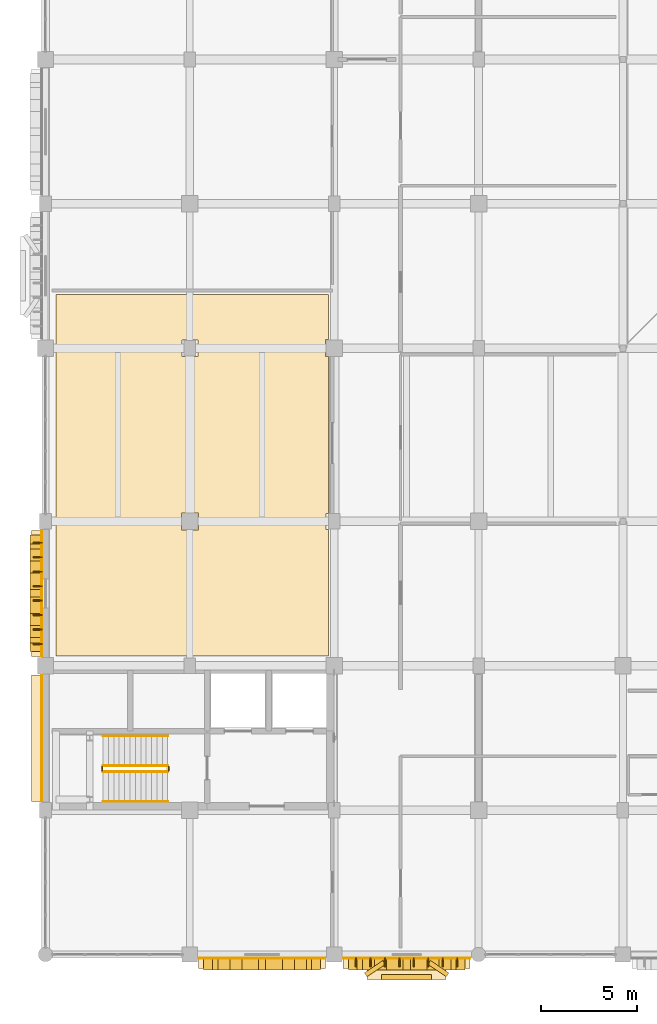
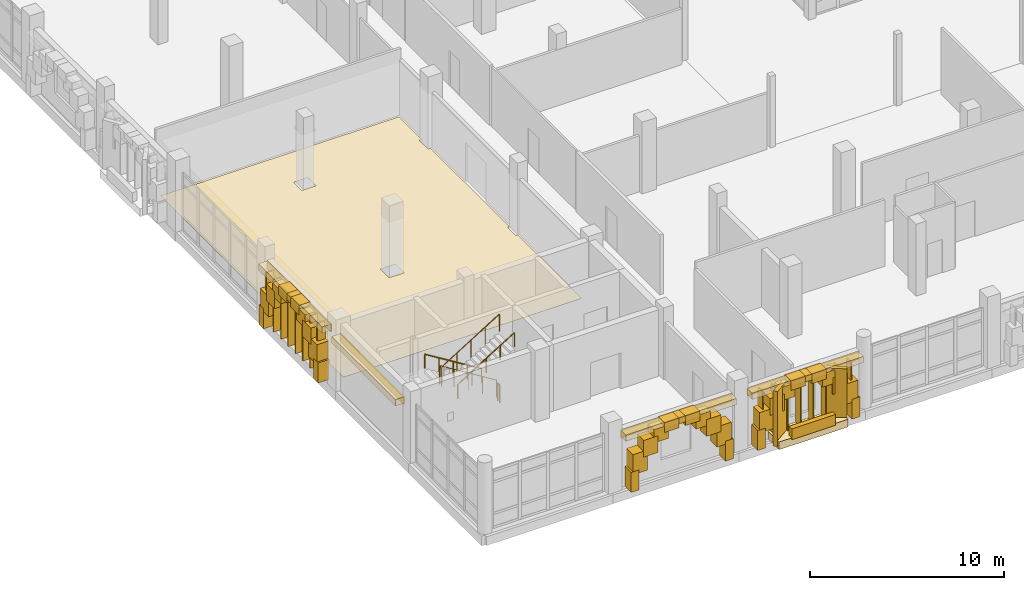
# One storey, part 107 of 128: 46 coverings, 16 shading devices, 6 railings.
"""IFC4 building model written with IfcOpenShell, lengths in metres."""

import ifcopenshell
import ifcopenshell.guid

model = None  # the IFC model being written
_history = None  # IfcOwnerHistory: only IFC2X3 demands one
_inside = {}  # id of a spatial element -> (the spatial element, [elements in it])
_under = {}  # id of a project, library or spatial element -> (it, [spatial elements below it])
_declared = {}  # id of a project -> (the project, [libraries it declares])
_typed = {}  # id of a type object -> (the type object, [elements of that type])
_made_of = {}  # id of a material, layer set ... -> (it, [elements and type objects made of it])


def new_model(schema):
    """Start an empty IFC model of exactly this schema.

    Asked for "IFC4X3", IfcOpenShell would pick the latest addendum, in which some entities
    have other attributes; the version numbers below select the first issue.
    IFC2X3 requires an IfcOwnerHistory on every rooted entity: one is made here for all.
    """
    global model, _history
    if schema == "IFC4X3":
        model = ifcopenshell.file(schema_version=(4, 3, 0, 0))
    else:
        model = ifcopenshell.file(schema=schema)
    _inside.clear()
    _under.clear()
    _declared.clear()
    _typed.clear()
    _made_of.clear()
    _history = None
    if model.schema == "IFC2X3":
        org = make("IfcOrganization", Name="unknown")
        user = make(
            "IfcPersonAndOrganization",
            ThePerson=make("IfcPerson", FamilyName="unknown"),
            TheOrganization=org,
        )
        app = make(
            "IfcApplication",
            ApplicationDeveloper=org,
            Version="unknown",
            ApplicationFullName="unknown",
            ApplicationIdentifier="unknown",
        )
        _history = make(
            "IfcOwnerHistory",
            OwningUser=user,
            OwningApplication=app,
            ChangeAction="ADDED",
            CreationDate=0,
        )
    return model


def make(cls, **values):
    """One entity of the class cls with the attributes given. An attribute that is None is left unset."""
    return model.create_entity(
        cls, **{name: value for name, value in values.items() if value is not None}
    )


def rooted(cls, **values):
    """An entity with a GlobalId (a new one), such as an element, a storey or a relation."""
    return make(cls, GlobalId=ifcopenshell.guid.new(), OwnerHistory=_history, **values)


def si_unit(unit_type, name, prefix=None):
    """IfcSIUnit, for example si_unit("LENGTHUNIT", "METRE", prefix="MILLI")."""
    return make("IfcSIUnit", UnitType=unit_type, Prefix=prefix, Name=name)


def assignment(units):
    """IfcUnitAssignment: the units of a project."""
    return None if units is None else make("IfcUnitAssignment", Units=units)


def point(xyz):
    """IfcCartesianPoint."""
    return None if xyz is None else make("IfcCartesianPoint", Coordinates=xyz)


def direction(xyz):
    """IfcDirection."""
    return None if xyz is None else make("IfcDirection", DirectionRatios=xyz)


def frame(location, z_axis=None, x_axis=None):
    """IfcAxis2Placement3D, a coordinate frame: its origin and axes. An axis left out is left unset."""
    return make(
        "IfcAxis2Placement3D",
        Location=point(location),
        Axis=direction(z_axis),
        RefDirection=direction(x_axis),
    )


def frame_2d(location, x_axis=None):
    """IfcAxis2Placement2D, a coordinate frame in the plane: its origin and x axis."""
    return make(
        "IfcAxis2Placement2D", Location=point(location), RefDirection=direction(x_axis)
    )


def origin():
    """The frame at (0, 0, 0) with its axes left unset."""
    return frame((0.0, 0.0, 0.0))


def origin_2d():
    """The frame at (0, 0) in the plane with its x axis left unset."""
    return frame_2d((0.0, 0.0))


def place(relative_to, where):
    """IfcLocalPlacement: puts the frame where relative to a parent placement (None: the world)."""
    return make(
        "IfcLocalPlacement", PlacementRelTo=relative_to, RelativePlacement=where
    )


def context(
    kind, dimensions, precision=None, world=None, true_north=None, identifier=None
):
    """IfcGeometricRepresentationContext, for example the 3D "Model" context."""
    return make(
        "IfcGeometricRepresentationContext",
        ContextIdentifier=identifier,
        ContextType=kind,
        CoordinateSpaceDimension=dimensions,
        Precision=precision,
        WorldCoordinateSystem=world,
        TrueNorth=true_north,
    )


def subcontext(parent, identifier, kind, view, scale=None):
    """IfcGeometricRepresentationSubContext, for example "Body" below "Model"."""
    return make(
        "IfcGeometricRepresentationSubContext",
        ContextIdentifier=identifier,
        ContextType=kind,
        ParentContext=parent,
        TargetScale=scale,
        TargetView=view,
    )


def project(units=None, contexts=None):
    """IfcProject with its units and contexts."""
    return rooted(
        "IfcProject",
        Name="project",
        RepresentationContexts=contexts,
        UnitsInContext=assignment(units),
    )


def spatial(cls, under=None, at=None, **own):
    """A site, building, storey or space (cls), placed at a placement, below another one or the project."""
    s = rooted(cls, ObjectPlacement=at, **own)
    if under is not None:
        _under.setdefault(under.id(), (under, []))[1].append(s)
    return s


def polyline(points):
    """IfcPolyline through the points."""
    return make("IfcPolyline", Points=[point(p) for p in points])


def profile(cls, at=None, kind="AREA", **sizes):
    """A parametric profile (cls). Its sizes go by their IFC names, for example OverallWidth=200.0."""
    return make(cls, ProfileType=kind, Position=at, **sizes)


def rectangle(**sizes):
    """IfcRectangleProfileDef."""
    return profile("IfcRectangleProfileDef", **sizes)


def circle(**sizes):
    """IfcCircleProfileDef."""
    return profile("IfcCircleProfileDef", **sizes)


def outline(outer, holes=None, kind="AREA"):
    """IfcArbitraryClosedProfileDef: a profile drawn as a closed curve; with holes, ...WithVoids."""
    if holes is None:
        return make("IfcArbitraryClosedProfileDef", ProfileType=kind, OuterCurve=outer)
    return make(
        "IfcArbitraryProfileDefWithVoids",
        ProfileType=kind,
        OuterCurve=outer,
        InnerCurves=holes,
    )


def extrude(swept, where, along, depth):
    """IfcExtrudedAreaSolid: the profile swept, set in the frame where, extruded along a direction by depth."""
    return make(
        "IfcExtrudedAreaSolid",
        SweptArea=swept,
        Position=where,
        ExtrudedDirection=direction(along),
        Depth=depth,
    )


def shape(context_of_items, identifier, shape_type, items):
    """IfcShapeRepresentation: the items that make up one representation, for example the "Body"."""
    return make(
        "IfcShapeRepresentation",
        ContextOfItems=context_of_items,
        RepresentationIdentifier=identifier,
        RepresentationType=shape_type,
        Items=items,
    )


def material(Name=None, Category=None):
    """IfcMaterial."""
    return make("IfcMaterial", Name=Name, Category=Category)


def layer(
    of_material, thickness, ventilated=None, Name=None, Category=None, Priority=None
):
    """IfcMaterialLayer: one layer of a wall or slab, of a material (None: an air gap)."""
    return make(
        "IfcMaterialLayer",
        Material=of_material,
        LayerThickness=thickness,
        IsVentilated=ventilated,
        Name=Name,
        Category=Category,
        Priority=Priority,
    )


def layer_set(layers, Name=None):
    """IfcMaterialLayerSet."""
    return make("IfcMaterialLayerSet", MaterialLayers=layers, LayerSetName=Name)


def made_of(thing, what):
    """Note that an element or type object is made of a material, layer set ...; save() writes the relation."""
    if what is not None:
        _made_of.setdefault(what.id(), (what, []))[1].append(thing)
    return thing


def type_object(cls, material=None, **own):
    """A type object (cls), such as IfcWallType, which elements share."""
    return made_of(rooted(cls, **own), material)


def element(
    cls,
    number,
    at=None,
    inside=None,
    cuts=None,
    type_object=None,
    material=None,
    context=None,
    identifier="Body",
    shape_type=None,
    held_by="IfcProductDefinitionShape",
    body=None,
    shapes=None,
    **own,
):
    """One element of the class cls, such as IfcWall. Its Tag is "e" and its number.

    at: its placement. inside: the storey or other place that contains it. cuts: it is an
    opening in that element (IfcRelVoidsElement). A single representation is given by context,
    identifier, shape_type and body (its items); several are given by shapes. held_by: the class
    of the entity that holds the representations. save() writes the other relations.
    """
    e = rooted(cls, Tag="e%d" % number, ObjectPlacement=at, **own)
    if body is not None:
        shapes = [shape(context, identifier, shape_type, body)]
    if shapes is not None:
        e.Representation = make(held_by, Representations=shapes)
    if inside is not None:
        _inside.setdefault(inside.id(), (inside, []))[1].append(e)
    if cuts is not None:
        rooted(
            "IfcRelVoidsElement", RelatingBuildingElement=cuts, RelatedOpeningElement=e
        )
    if type_object is not None:
        _typed.setdefault(type_object.id(), (type_object, []))[1].append(e)
    return made_of(e, material)


def aggregate(whole, parts):
    """IfcRelAggregates: a whole, such as a stair, and the parts it consists of."""
    return rooted("IfcRelAggregates", RelatingObject=whole, RelatedObjects=parts)


def save(model, path):
    """Write the relations noted so far, then the file.

    IfcRelAggregates (storeys below a building ...), IfcRelContainedInSpatialStructure (elements
    in a storey), IfcRelDefinesByType, IfcRelAssociatesMaterial and IfcRelDeclares: one each for
    every whole, place, type object, material and project.
    """
    for whole, parts in _under.values():
        aggregate(whole, parts)
    for where, things in _inside.values():
        rooted(
            "IfcRelContainedInSpatialStructure",
            RelatedElements=things,
            RelatingStructure=where,
        )
    for kind, things in _typed.values():
        rooted("IfcRelDefinesByType", RelatedObjects=things, RelatingType=kind)
    for what, things in _made_of.values():
        rooted("IfcRelAssociatesMaterial", RelatedObjects=things, RelatingMaterial=what)
    for by, libraries in _declared.values():
        rooted("IfcRelDeclares", RelatingContext=by, RelatedDefinitions=libraries)
    model.write(path)


model = new_model("IFC4")

# Units and contexts
model_context = context("Model", 3, precision=1e-05, world=origin(), true_north=direction((0.0, 1.0)))
body_context = subcontext(model_context, "Body", "Model", "MODEL_VIEW")
ifc_project = project(units=[si_unit("LENGTHUNIT", "METRE"), si_unit("AREAUNIT", "SQUARE_METRE"), si_unit("VOLUMEUNIT", "CUBIC_METRE"), si_unit("PLANEANGLEUNIT", "RADIAN"), si_unit("MASSUNIT", "GRAM", prefix="KILO")], contexts=[model_context])

# Site, building, storey
site_placement = place(None, origin())
site = spatial("IfcSite", under=ifc_project, at=site_placement, CompositionType="ELEMENT")
building_placement = place(site_placement, origin())
building = spatial("IfcBuilding", under=site, at=building_placement, Name="Dalvernix Boulevard General Hospital", CompositionType="ELEMENT")
storey_placement = place(building_placement, frame((0.0, 0.0, 4.800048828125)))
storey = spatial("IfcBuildingStorey", under=building, at=storey_placement, Name="L01", CompositionType="ELEMENT", Elevation=4.800048828125)

# Coverings
ifc_material_1 = material(Name="Pressed Catalan clay brick and dressed limestone parabolic archivolt", Category="masonry")
ifc_layer_1 = layer(ifc_material_1, 0.419921875)
ifc_layer_set_1 = layer_set([ifc_layer_1], Name="Pressed Catalan clay brick and dressed limestone parabolic archivolt (COV-ARC-01)")
covering_type_1 = type_object("IfcCoveringType", Name="COV-ARC-01", PredefinedType="CLADDING", material=ifc_layer_set_1)
for number, where, z_axis, x_axis, name in (
    (1, (-0.485107421875, 15.96240234375, 0.0), (0.0, 0.0, 1.0), (0.0, 1.0, 0.0), "L01 Catalan parabolic arch impost pier W 0-2-L"),
    (2, (-0.485107421875, 21.5625, 0.0), (0.0, 0.0, 1.0), (0.0, 1.0, 0.0), "L01 Catalan parabolic arch impost pier W 0-2-R"),
):
    element("IfcCovering", number, at=place(storey_placement, frame(where, z_axis=z_axis, x_axis=x_axis)), inside=storey, type_object=covering_type_1, Name=name, PredefinedType="CLADDING", context=body_context, shape_type="SweptSolid", body=[
        extrude(rectangle(XDim=0.4599609375, YDim=0.659912109375, at=origin_2d()), origin(), (0.0, 0.0, 1.0), 1.25),
    ])
covering_1_placement = place(storey_placement, frame((-0.485107421875, 16.273681640625, 1.06005859375), z_axis=(0.0, 0.0, 1.0), x_axis=(0.0, 1.0, 0.0)))
element("IfcCovering", 3, at=covering_1_placement, inside=storey, type_object=covering_type_1, Name="L01 Catalan parabolic archivolt voussoir W 0-2-1", PredefinedType="CLADDING", context=body_context, shape_type="SweptSolid", body=[
    extrude(rectangle(XDim=0.8623046875, YDim=0.659912109375, at=origin_2d()), origin(), (0.0, 0.0, 1.0), 1.272705078125),
])
covering_2_placement = place(storey_placement, frame((-0.485107421875, 16.895751953125, 1.95263671875), z_axis=(0.0, 0.0, 1.0), x_axis=(0.0, 1.0, 0.0)))
element("IfcCovering", 4, at=covering_2_placement, inside=storey, type_object=covering_type_1, Name="L01 Catalan parabolic archivolt voussoir W 0-2-2", PredefinedType="CLADDING", context=body_context, shape_type="SweptSolid", body=[
    extrude(rectangle(XDim=0.8623046875, YDim=0.659912109375, at=origin_2d()), origin(), (0.0, 0.0, 1.0), 1.049560546875),
])
covering_3_placement = place(storey_placement, frame((-0.485107421875, 17.51806640625, 2.62255859375), z_axis=(0.0, 0.0, 1.0), x_axis=(0.0, 1.0, 0.0)))
element("IfcCovering", 5, at=covering_3_placement, inside=storey, type_object=covering_type_1, Name="L01 Catalan parabolic archivolt voussoir W 0-2-3", PredefinedType="CLADDING", context=body_context, shape_type="SweptSolid", body=[
    extrude(rectangle(XDim=0.8623046875, YDim=0.659912109375, at=origin_2d()), origin(), (0.0, 0.0, 1.0), 0.826416015625),
])
covering_4_placement = place(storey_placement, frame((-0.485107421875, 18.140380859375, 3.06884765625), z_axis=(0.0, 0.0, 1.0), x_axis=(0.0, 1.0, 0.0)))
element("IfcCovering", 6, at=covering_4_placement, inside=storey, type_object=covering_type_1, Name="L01 Catalan parabolic archivolt voussoir W 0-2-4", PredefinedType="CLADDING", context=body_context, shape_type="SweptSolid", body=[
    extrude(rectangle(XDim=0.8623046875, YDim=0.659912109375, at=origin_2d()), origin(), (0.0, 0.0, 1.0), 0.603271484375),
])
covering_5_placement = place(storey_placement, frame((-0.485107421875, 18.762451171875, 3.2919921875), z_axis=(0.0, 0.0, 1.0), x_axis=(0.0, 1.0, 0.0)))
element("IfcCovering", 7, at=covering_5_placement, inside=storey, type_object=covering_type_1, Name="L01 Catalan parabolic archivolt voussoir W 0-2-5", PredefinedType="CLADDING", context=body_context, shape_type="SweptSolid", body=[
    extrude(rectangle(XDim=0.8623046875, YDim=0.659912109375, at=origin_2d()), origin(), (0.0, 0.0, 1.0), 0.3798828125),
])
covering_6_placement = place(storey_placement, frame((-0.485107421875, 19.384765625, 3.06884765625), z_axis=(0.0, 0.0, 1.0), x_axis=(0.0, 1.0, 0.0)))
element("IfcCovering", 8, at=covering_6_placement, inside=storey, type_object=covering_type_1, Name="L01 Catalan parabolic archivolt voussoir W 0-2-6", PredefinedType="CLADDING", context=body_context, shape_type="SweptSolid", body=[
    extrude(rectangle(XDim=0.8623046875, YDim=0.659912109375, at=origin_2d()), origin(), (0.0, 0.0, 1.0), 0.603271484375),
])
covering_7_placement = place(storey_placement, frame((-0.485107421875, 20.0068359375, 2.62255859375), z_axis=(0.0, 0.0, 1.0), x_axis=(0.0, 1.0, 0.0)))
element("IfcCovering", 9, at=covering_7_placement, inside=storey, type_object=covering_type_1, Name="L01 Catalan parabolic archivolt voussoir W 0-2-7", PredefinedType="CLADDING", context=body_context, shape_type="SweptSolid", body=[
    extrude(rectangle(XDim=0.8623046875, YDim=0.659912109375, at=origin_2d()), origin(), (0.0, 0.0, 1.0), 0.826416015625),
])
covering_8_placement = place(storey_placement, frame((-0.485107421875, 20.629150390625, 1.95263671875), z_axis=(0.0, 0.0, 1.0), x_axis=(0.0, 1.0, 0.0)))
element("IfcCovering", 10, at=covering_8_placement, inside=storey, type_object=covering_type_1, Name="L01 Catalan parabolic archivolt voussoir W 0-2-8", PredefinedType="CLADDING", context=body_context, shape_type="SweptSolid", body=[
    extrude(rectangle(XDim=0.8623046875, YDim=0.659912109375, at=origin_2d()), origin(), (0.0, 0.0, 1.0), 1.049560546875),
])
covering_9_placement = place(storey_placement, frame((-0.485107421875, 21.25146484375, 1.06005859375), z_axis=(0.0, 0.0, 1.0), x_axis=(0.0, 1.0, 0.0)))
element("IfcCovering", 11, at=covering_9_placement, inside=storey, type_object=covering_type_1, Name="L01 Catalan parabolic archivolt voussoir W 0-2-9", PredefinedType="CLADDING", context=body_context, shape_type="SweptSolid", body=[
    extrude(rectangle(XDim=0.8623046875, YDim=0.659912109375, at=origin_2d()), origin(), (0.0, 0.0, 1.0), 1.272705078125),
])
for number, where, z_axis, x_axis, name in (
    (12, (14.050048828125, -0.485107421875, 0.0), (0.0, 0.0, 1.0), (-1.0, 0.0, 0.0), "L01 Catalan parabolic arch impost pier S 1-0-L"),
    (13, (8.449951171875, -0.485107421875, 0.0), (0.0, 0.0, 1.0), (-1.0, 0.0, 0.0), "L01 Catalan parabolic arch impost pier S 1-0-R"),
):
    element("IfcCovering", number, at=place(storey_placement, frame(where, z_axis=z_axis, x_axis=x_axis)), inside=storey, type_object=covering_type_1, Name=name, PredefinedType="CLADDING", context=body_context, shape_type="SweptSolid", body=[
        extrude(rectangle(XDim=0.4599609375, YDim=0.659912109375, at=origin_2d()), origin(), (0.0, 0.0, 1.0), 1.25),
    ])
covering_10_placement = place(storey_placement, frame((13.739013671875, -0.485107421875, 1.06005859375), z_axis=(0.0, 0.0, 1.0), x_axis=(-1.0, 0.0, 0.0)))
element("IfcCovering", 14, at=covering_10_placement, inside=storey, type_object=covering_type_1, Name="L01 Catalan parabolic archivolt voussoir S 1-0-1", PredefinedType="CLADDING", context=body_context, shape_type="SweptSolid", body=[
    extrude(rectangle(XDim=0.8623046875, YDim=0.659912109375, at=origin_2d()), origin(), (0.0, 0.0, 1.0), 1.272705078125),
])
covering_11_placement = place(storey_placement, frame((13.11669921875, -0.485107421875, 1.95263671875), z_axis=(0.0, 0.0, 1.0), x_axis=(-1.0, 0.0, 0.0)))
element("IfcCovering", 15, at=covering_11_placement, inside=storey, type_object=covering_type_1, Name="L01 Catalan parabolic archivolt voussoir S 1-0-2", PredefinedType="CLADDING", context=body_context, shape_type="SweptSolid", body=[
    extrude(rectangle(XDim=0.8623046875, YDim=0.659912109375, at=origin_2d()), origin(), (0.0, 0.0, 1.0), 1.049560546875),
])
covering_12_placement = place(storey_placement, frame((12.494384765625, -0.485107421875, 2.62255859375), z_axis=(0.0, 0.0, 1.0), x_axis=(-1.0, 0.0, 0.0)))
element("IfcCovering", 16, at=covering_12_placement, inside=storey, type_object=covering_type_1, Name="L01 Catalan parabolic archivolt voussoir S 1-0-3", PredefinedType="CLADDING", context=body_context, shape_type="SweptSolid", body=[
    extrude(rectangle(XDim=0.8623046875, YDim=0.659912109375, at=origin_2d()), origin(), (0.0, 0.0, 1.0), 0.826416015625),
])
covering_13_placement = place(storey_placement, frame((11.872314453125, -0.485107421875, 3.06884765625), z_axis=(0.0, 0.0, 1.0), x_axis=(-1.0, 0.0, 0.0)))
element("IfcCovering", 17, at=covering_13_placement, inside=storey, type_object=covering_type_1, Name="L01 Catalan parabolic archivolt voussoir S 1-0-4", PredefinedType="CLADDING", context=body_context, shape_type="SweptSolid", body=[
    extrude(rectangle(XDim=0.8623046875, YDim=0.659912109375, at=origin_2d()), origin(), (0.0, 0.0, 1.0), 0.603271484375),
])
covering_14_placement = place(storey_placement, frame((11.25, -0.485107421875, 3.2919921875), z_axis=(0.0, 0.0, 1.0), x_axis=(-1.0, 0.0, 0.0)))
element("IfcCovering", 18, at=covering_14_placement, inside=storey, type_object=covering_type_1, Name="L01 Catalan parabolic archivolt voussoir S 1-0-5", PredefinedType="CLADDING", context=body_context, shape_type="SweptSolid", body=[
    extrude(rectangle(XDim=0.8623046875, YDim=0.659912109375, at=origin_2d()), origin(), (0.0, 0.0, 1.0), 0.3798828125),
])
covering_15_placement = place(storey_placement, frame((10.627685546875, -0.485107421875, 3.06884765625), z_axis=(0.0, 0.0, 1.0), x_axis=(-1.0, 0.0, 0.0)))
element("IfcCovering", 19, at=covering_15_placement, inside=storey, type_object=covering_type_1, Name="L01 Catalan parabolic archivolt voussoir S 1-0-6", PredefinedType="CLADDING", context=body_context, shape_type="SweptSolid", body=[
    extrude(rectangle(XDim=0.8623046875, YDim=0.659912109375, at=origin_2d()), origin(), (0.0, 0.0, 1.0), 0.603271484375),
])
covering_16_placement = place(storey_placement, frame((10.005615234375, -0.485107421875, 2.62255859375), z_axis=(0.0, 0.0, 1.0), x_axis=(-1.0, 0.0, 0.0)))
element("IfcCovering", 20, at=covering_16_placement, inside=storey, type_object=covering_type_1, Name="L01 Catalan parabolic archivolt voussoir S 1-0-7", PredefinedType="CLADDING", context=body_context, shape_type="SweptSolid", body=[
    extrude(rectangle(XDim=0.8623046875, YDim=0.659912109375, at=origin_2d()), origin(), (0.0, 0.0, 1.0), 0.826416015625),
])
covering_17_placement = place(storey_placement, frame((9.38330078125, -0.485107421875, 1.95263671875), z_axis=(0.0, 0.0, 1.0), x_axis=(-1.0, 0.0, 0.0)))
element("IfcCovering", 21, at=covering_17_placement, inside=storey, type_object=covering_type_1, Name="L01 Catalan parabolic archivolt voussoir S 1-0-8", PredefinedType="CLADDING", context=body_context, shape_type="SweptSolid", body=[
    extrude(rectangle(XDim=0.8623046875, YDim=0.659912109375, at=origin_2d()), origin(), (0.0, 0.0, 1.0), 1.049560546875),
])
covering_18_placement = place(storey_placement, frame((8.760986328125, -0.485107421875, 1.06005859375), z_axis=(0.0, 0.0, 1.0), x_axis=(-1.0, 0.0, 0.0)))
element("IfcCovering", 22, at=covering_18_placement, inside=storey, type_object=covering_type_1, Name="L01 Catalan parabolic archivolt voussoir S 1-0-9", PredefinedType="CLADDING", context=body_context, shape_type="SweptSolid", body=[
    extrude(rectangle(XDim=0.8623046875, YDim=0.659912109375, at=origin_2d()), origin(), (0.0, 0.0, 1.0), 1.272705078125),
])
for number, where, z_axis, x_axis, name in (
    (23, (21.5625, -0.485107421875, 0.0), (0.0, 0.0, 1.0), (-1.0, 0.0, 0.0), "L01 Catalan parabolic arch impost pier S 2-0-L"),
    (24, (15.96240234375, -0.485107421875, 0.0), (0.0, 0.0, 1.0), (-1.0, 0.0, 0.0), "L01 Catalan parabolic arch impost pier S 2-0-R"),
):
    element("IfcCovering", number, at=place(storey_placement, frame(where, z_axis=z_axis, x_axis=x_axis)), inside=storey, type_object=covering_type_1, Name=name, PredefinedType="CLADDING", context=body_context, shape_type="SweptSolid", body=[
        extrude(rectangle(XDim=0.4599609375, YDim=0.659912109375, at=origin_2d()), origin(), (0.0, 0.0, 1.0), 1.25),
    ])
covering_19_placement = place(storey_placement, frame((21.25146484375, -0.485107421875, 1.06005859375), z_axis=(0.0, 0.0, 1.0), x_axis=(-1.0, 0.0, 0.0)))
element("IfcCovering", 25, at=covering_19_placement, inside=storey, type_object=covering_type_1, Name="L01 Catalan parabolic archivolt voussoir S 2-0-1", PredefinedType="CLADDING", context=body_context, shape_type="SweptSolid", body=[
    extrude(rectangle(XDim=0.8623046875, YDim=0.659912109375, at=origin_2d()), origin(), (0.0, 0.0, 1.0), 1.272705078125),
])
covering_20_placement = place(storey_placement, frame((20.629150390625, -0.485107421875, 1.95263671875), z_axis=(0.0, 0.0, 1.0), x_axis=(-1.0, 0.0, 0.0)))
element("IfcCovering", 26, at=covering_20_placement, inside=storey, type_object=covering_type_1, Name="L01 Catalan parabolic archivolt voussoir S 2-0-2", PredefinedType="CLADDING", context=body_context, shape_type="SweptSolid", body=[
    extrude(rectangle(XDim=0.8623046875, YDim=0.659912109375, at=origin_2d()), origin(), (0.0, 0.0, 1.0), 1.049560546875),
])
covering_21_placement = place(storey_placement, frame((20.0068359375, -0.485107421875, 2.62255859375), z_axis=(0.0, 0.0, 1.0), x_axis=(-1.0, 0.0, 0.0)))
element("IfcCovering", 27, at=covering_21_placement, inside=storey, type_object=covering_type_1, Name="L01 Catalan parabolic archivolt voussoir S 2-0-3", PredefinedType="CLADDING", context=body_context, shape_type="SweptSolid", body=[
    extrude(rectangle(XDim=0.8623046875, YDim=0.659912109375, at=origin_2d()), origin(), (0.0, 0.0, 1.0), 0.826416015625),
])
covering_22_placement = place(storey_placement, frame((19.384765625, -0.485107421875, 3.06884765625), z_axis=(0.0, 0.0, 1.0), x_axis=(-1.0, 0.0, 0.0)))
element("IfcCovering", 28, at=covering_22_placement, inside=storey, type_object=covering_type_1, Name="L01 Catalan parabolic archivolt voussoir S 2-0-4", PredefinedType="CLADDING", context=body_context, shape_type="SweptSolid", body=[
    extrude(rectangle(XDim=0.8623046875, YDim=0.659912109375, at=origin_2d()), origin(), (0.0, 0.0, 1.0), 0.603271484375),
])
covering_23_placement = place(storey_placement, frame((18.762451171875, -0.485107421875, 3.2919921875), z_axis=(0.0, 0.0, 1.0), x_axis=(-1.0, 0.0, 0.0)))
element("IfcCovering", 29, at=covering_23_placement, inside=storey, type_object=covering_type_1, Name="L01 Catalan parabolic archivolt voussoir S 2-0-5", PredefinedType="CLADDING", context=body_context, shape_type="SweptSolid", body=[
    extrude(rectangle(XDim=0.8623046875, YDim=0.659912109375, at=origin_2d()), origin(), (0.0, 0.0, 1.0), 0.3798828125),
])
covering_24_placement = place(storey_placement, frame((18.140380859375, -0.485107421875, 3.06884765625), z_axis=(0.0, 0.0, 1.0), x_axis=(-1.0, 0.0, 0.0)))
element("IfcCovering", 30, at=covering_24_placement, inside=storey, type_object=covering_type_1, Name="L01 Catalan parabolic archivolt voussoir S 2-0-6", PredefinedType="CLADDING", context=body_context, shape_type="SweptSolid", body=[
    extrude(rectangle(XDim=0.8623046875, YDim=0.659912109375, at=origin_2d()), origin(), (0.0, 0.0, 1.0), 0.603271484375),
])
covering_25_placement = place(storey_placement, frame((17.51806640625, -0.485107421875, 2.62255859375), z_axis=(0.0, 0.0, 1.0), x_axis=(-1.0, 0.0, 0.0)))
element("IfcCovering", 31, at=covering_25_placement, inside=storey, type_object=covering_type_1, Name="L01 Catalan parabolic archivolt voussoir S 2-0-7", PredefinedType="CLADDING", context=body_context, shape_type="SweptSolid", body=[
    extrude(rectangle(XDim=0.8623046875, YDim=0.659912109375, at=origin_2d()), origin(), (0.0, 0.0, 1.0), 0.826416015625),
])
covering_26_placement = place(storey_placement, frame((16.895751953125, -0.485107421875, 1.95263671875), z_axis=(0.0, 0.0, 1.0), x_axis=(-1.0, 0.0, 0.0)))
element("IfcCovering", 32, at=covering_26_placement, inside=storey, type_object=covering_type_1, Name="L01 Catalan parabolic archivolt voussoir S 2-0-8", PredefinedType="CLADDING", context=body_context, shape_type="SweptSolid", body=[
    extrude(rectangle(XDim=0.8623046875, YDim=0.659912109375, at=origin_2d()), origin(), (0.0, 0.0, 1.0), 1.049560546875),
])
covering_27_placement = place(storey_placement, frame((16.273681640625, -0.485107421875, 1.06005859375), z_axis=(0.0, 0.0, 1.0), x_axis=(-1.0, 0.0, 0.0)))
element("IfcCovering", 33, at=covering_27_placement, inside=storey, type_object=covering_type_1, Name="L01 Catalan parabolic archivolt voussoir S 2-0-9", PredefinedType="CLADDING", context=body_context, shape_type="SweptSolid", body=[
    extrude(rectangle(XDim=0.8623046875, YDim=0.659912109375, at=origin_2d()), origin(), (0.0, 0.0, 1.0), 1.272705078125),
])
ifc_material_2 = material(Name="Polychrome glazed Catalan trencadis ceramic faceted bay spandrel")
ifc_layer_2 = layer(ifc_material_2, 0.280029296875)
ifc_layer_set_2 = layer_set([ifc_layer_2], Name="Polychrome glazed Catalan trencadis ceramic faceted bay spandrel (COV-BAY-01)")
covering_type_2 = type_object("IfcCoveringType", Name="COV-BAY-01", PredefinedType="CLADDING", material=ifc_layer_set_2)
covering_28_placement = place(storey_placement, frame((18.762451171875, -1.18505859375, 0.3798828125), z_axis=(0.0, 0.0, 1.0), x_axis=(-1.0, 0.0, 0.0)))
element("IfcCovering", 34, at=covering_28_placement, inside=storey, type_object=covering_type_2, Name="L01 projecting faceted trencadis bay spandrel S 2-0", PredefinedType="CLADDING", context=body_context, shape_type="SweptSolid", body=[
    extrude(rectangle(XDim=2.60009765625, YDim=0.280029296875, at=origin_2d()), origin(), (0.0, 0.0, 1.0), 0.679931640625),
])
for number, where, z_axis, x_axis, name in (
    (35, (20.41259765625, -0.735107421875, 0.080078125), (0.0, 0.0, 1.0), (-0.829037572555, 0.559192903471, 0.0), "L01 projecting faceted Catalan bay cheek S 2-0-L"),
    (36, (17.112548828125, -0.735107421875, 0.080078125), (0.0, 0.0, 1.0), (-0.829037572555, -0.559192903471, 0.0), "L01 projecting faceted Catalan bay cheek S 2-0-R"),
):
    element("IfcCovering", number, at=place(storey_placement, frame(where, z_axis=z_axis, x_axis=x_axis)), inside=storey, type_object=covering_type_2, Name=name, PredefinedType="CLADDING", context=body_context, shape_type="SweptSolid", body=[
        extrude(rectangle(XDim=1.14990234375, YDim=0.239990234375, at=origin_2d()), origin(), (0.0, 0.0, 1.0), 3.469970703125),
    ])
ifc_material_3 = material(Name="Polychrome Catalan glazed ceramic spandrel tile panel")
ifc_layer_3 = layer(ifc_material_3, 0.044921875)
ifc_layer_set_3 = layer_set([ifc_layer_3], Name="Polychrome Catalan glazed ceramic spandrel tile panel (COV-CLD-01)")
covering_type_3 = type_object("IfcCoveringType", Name="COV-CLD-01", PredefinedType="CLADDING", material=ifc_layer_set_3)
for number, where, z_axis, x_axis, name in (
    (37, (-0.195068359375, 11.237548828125, 3.15478515625), (0.0, 0.0, 1.0), (0.0, 1.0, 0.0), "L01 polychrome ceramic spandrel W 0-1"),
    (38, (-0.195068359375, 18.762451171875, 3.15478515625), (0.0, 0.0, 1.0), (0.0, 1.0, 0.0), "L01 polychrome ceramic spandrel W 0-2"),
):
    element("IfcCovering", number, at=place(storey_placement, frame(where, z_axis=z_axis, x_axis=x_axis)), inside=storey, type_object=covering_type_3, Name=name, PredefinedType="CLADDING", context=body_context, shape_type="SweptSolid", body=[
        extrude(rectangle(XDim=6.554931640625, YDim=0.044921875, at=origin_2d()), origin(), (0.0, 0.0, 1.0), 0.449951171875),
    ])
covering_29_placement = place(storey_placement, frame((11.25, -0.195068359375, 3.15478515625), z_axis=(0.0, 0.0, 1.0), x_axis=(-1.0, 0.0, 0.0)))
element("IfcCovering", 39, at=covering_29_placement, inside=storey, type_object=covering_type_3, Name="L01 polychrome ceramic spandrel S 1-0", PredefinedType="CLADDING", context=body_context, shape_type="SweptSolid", body=[
    extrude(rectangle(XDim=6.580078125, YDim=0.044921875, at=origin_2d()), origin(), (0.0, 0.0, 1.0), 0.449951171875),
])
covering_30_placement = place(storey_placement, frame((18.762451171875, -0.195068359375, 3.15478515625), z_axis=(0.0, 0.0, 1.0), x_axis=(-1.0, 0.0, 0.0)))
element("IfcCovering", 40, at=covering_30_placement, inside=storey, type_object=covering_type_3, Name="L01 polychrome ceramic spandrel S 2-0", PredefinedType="CLADDING", context=body_context, shape_type="SweptSolid", body=[
    extrude(rectangle(XDim=6.60498046875, YDim=0.044921875, at=origin_2d()), origin(), (0.0, 0.0, 1.0), 0.449951171875),
])
ifc_material_4 = material(Name="Dressed ochre limestone classical plinth, stringcourse and corbelled cornice", Category="masonry")
ifc_layer_4 = layer(ifc_material_4, 0.449951171875)
ifc_layer_set_4 = layer_set([ifc_layer_4], Name="Dressed ochre limestone classical plinth, stringcourse and corbelled cornice (COV-CRN-01)")
covering_type_4 = type_object("IfcCoveringType", Name="COV-CRN-01", PredefinedType="CLADDING", material=ifc_layer_set_4)
for number, where, z_axis, x_axis, name in (
    (41, (-0.43505859375, 11.237548828125, 3.22998046875), (0.0, 0.0, 1.0), (0.0, 1.0, 0.0), "L01 classical corbelled cornice frieze W 0-1"),
    (42, (-0.43505859375, 18.762451171875, 3.22998046875), (0.0, 0.0, 1.0), (0.0, 1.0, 0.0), "L01 classical corbelled cornice frieze W 0-2"),
):
    element("IfcCovering", number, at=place(storey_placement, frame(where, z_axis=z_axis, x_axis=x_axis)), inside=storey, type_object=covering_type_4, Name=name, PredefinedType="CLADDING", context=body_context, shape_type="SweptSolid", body=[
        extrude(rectangle(XDim=6.554931640625, YDim=0.56005859375, at=origin_2d()), origin(), (0.0, 0.0, 1.0), 0.39990234375),
    ])
covering_31_placement = place(storey_placement, frame((11.25, -0.43505859375, 3.22998046875), z_axis=(0.0, 0.0, 1.0), x_axis=(-1.0, 0.0, 0.0)))
element("IfcCovering", 43, at=covering_31_placement, inside=storey, type_object=covering_type_4, Name="L01 classical corbelled cornice frieze S 1-0", PredefinedType="CLADDING", context=body_context, shape_type="SweptSolid", body=[
    extrude(rectangle(XDim=6.580078125, YDim=0.56005859375, at=origin_2d()), origin(), (0.0, 0.0, 1.0), 0.39990234375),
])
covering_32_placement = place(storey_placement, frame((18.762451171875, -0.43505859375, 3.22998046875), z_axis=(0.0, 0.0, 1.0), x_axis=(-1.0, 0.0, 0.0)))
element("IfcCovering", 44, at=covering_32_placement, inside=storey, type_object=covering_type_4, Name="L01 classical corbelled cornice frieze S 2-0", PredefinedType="CLADDING", context=body_context, shape_type="SweptSolid", body=[
    extrude(rectangle(XDim=6.60498046875, YDim=0.56005859375, at=origin_2d()), origin(), (0.0, 0.0, 1.0), 0.39990234375),
])
covering_33_placement = place(storey_placement, frame((18.762451171875, -0.72998046875, 0.0), z_axis=(0.0, 0.0, 1.0), x_axis=(-1.0, 0.0, 0.0)))
element("IfcCovering", 45, at=covering_33_placement, inside=storey, type_object=covering_type_4, Name="L01 projecting Catalan bay corbel base S 2-0", PredefinedType="CLADDING", context=body_context, shape_type="SweptSolid", body=[
    extrude(rectangle(XDim=4.10009765625, YDim=1.14990234375, at=origin_2d()), origin(), (0.0, 0.0, 1.0), 0.47998046875),
])
ifc_material_5 = material(Name="Seamless welded medical vinyl and polished terrazzo flooring")
ifc_layer_5 = layer(ifc_material_5, 0.014892578125)
ifc_layer_set_5 = layer_set([ifc_layer_5], Name="Seamless welded medical vinyl and polished terrazzo flooring (COV-FLR-01)")
covering_type_5 = type_object("IfcCoveringType", Name="COV-FLR-01", PredefinedType="FLOORING", material=ifc_layer_set_5)
covering_34_placement = place(storey_placement, origin())
element("IfcCovering", 46, at=covering_34_placement, inside=storey, type_object=covering_type_5, Name="L01 Medical Lecture Auditorium seamless clinical flooring", PredefinedType="FLOORING", context=body_context, shape_type="SweptSolid", body=[
    extrude(outline(polyline([(14.699951171875, 31.945068359375), (14.554931640625, 31.945068359375), (14.554931640625, 31.054931640625), (14.699951171875, 31.054931640625), (14.699951171875, 22.919921875), (14.580078125, 22.919921875), (14.580078125, 22.080078125), (14.699951171875, 22.080078125), (14.699951171875, 15.5), (0.550048828125, 15.5), (0.550048828125, 34.300048828125), (14.699951171875, 34.300048828125), (14.699951171875, 31.945068359375)]), holes=[polyline([(7.945068359375, 22.054931640625), (7.945068359375, 22.945068359375), (7.054931640625, 22.945068359375), (7.054931640625, 22.054931640625), (7.945068359375, 22.054931640625)]), polyline([(7.080078125, 31.080078125), (7.919921875, 31.080078125), (7.919921875, 31.919921875), (7.080078125, 31.919921875), (7.080078125, 31.080078125)])]), origin(), (0.0, 0.0, 1.0), 0.014892578125),
])

# Railings
ifc_material_6 = material(Name="Brushed stainless steel balustrade", Category="steel")
railing_type_1 = type_object("IfcRailingType", Name="RL-GR-INT1", PredefinedType="BALUSTRADE", material=ifc_material_6)
railing_1_placement = place(storey_placement, frame((6.35009765625, 9.800048828125, 0.173095703125)))
element("IfcRailing", 47, at=railing_1_placement, inside=storey, type_object=railing_type_1, Name="L01 ST-01 stair guard 1", PredefinedType="BALUSTRADE", context=body_context, shape_type="SweptSolid", body=[
    extrude(circle(Radius=0.02392578125, at=origin_2d()), frame((0.0, 0.0, 1.09619140625), z_axis=(-0.850623216509, 0.0, 0.525775754039), x_axis=(0.0, -1.0, 0.0)), (0.0, 0.0, 1.0), 3.9501953125),
    extrude(circle(Radius=0.02099609375, at=origin_2d()), origin(), (0.0, 0.0, 1.0), 1.072021484375),
    extrude(circle(Radius=0.02099609375, at=origin_2d()), frame((-0.840087890625, 0.0, 0.519287109375)), (0.0, 0.0, 1.0), 1.072021484375),
    extrude(circle(Radius=0.02099609375, at=origin_2d()), frame((-1.68017578125, 0.0, 1.03857421875)), (0.0, 0.0, 1.0), 1.072021484375),
    extrude(circle(Radius=0.02099609375, at=origin_2d()), frame((-2.52001953125, 0.0, 1.5576171875)), (0.0, 0.0, 1.0), 1.072021484375),
    extrude(circle(Radius=0.02099609375, at=origin_2d()), frame((-3.360107421875, 0.0, 2.076904296875)), (0.0, 0.0, 1.0), 1.072021484375),
])
railing_2_placement = place(storey_placement, frame((2.93994140625, 9.75, 2.25)))
element("IfcRailing", 48, at=railing_2_placement, inside=storey, type_object=railing_type_1, Name="L01 ST-01 stair guard 2", PredefinedType="BALUSTRADE", context=body_context, shape_type="SweptSolid", body=[
    extrude(circle(Radius=0.02392578125, at=origin_2d()), frame((0.0, 0.0, 1.09619140625), z_axis=(0.0, -1.0, 0.0), x_axis=(1.0, 0.0, 0.0)), (0.0, 0.0, 1.0), 0.199951171875),
    extrude(circle(Radius=0.02099609375, at=origin_2d()), origin(), (0.0, 0.0, 1.0), 1.072021484375),
    extrude(circle(Radius=0.02099609375, at=origin_2d()), frame((0.0, -0.199951171875, 0.0)), (0.0, 0.0, 1.0), 1.072021484375),
])
railing_3_placement = place(storey_placement, frame((2.989990234375, 9.5, 2.423095703125)))
element("IfcRailing", 49, at=railing_3_placement, inside=storey, type_object=railing_type_1, Name="L01 ST-01 stair guard 3", PredefinedType="BALUSTRADE", context=body_context, shape_type="SweptSolid", body=[
    extrude(circle(Radius=0.02392578125, at=origin_2d()), frame((0.0, 0.0, 1.09619140625), z_axis=(0.850623216509, 0.0, 0.525775754039), x_axis=(0.0, 1.0, 0.0)), (0.0, 0.0, 1.0), 3.9501953125),
    extrude(circle(Radius=0.02099609375, at=origin_2d()), origin(), (0.0, 0.0, 1.0), 1.072021484375),
    extrude(circle(Radius=0.02099609375, at=origin_2d()), frame((0.840087890625, 0.0, 0.519287109375)), (0.0, 0.0, 1.0), 1.072021484375),
    extrude(circle(Radius=0.02099609375, at=origin_2d()), frame((1.68017578125, 0.0, 1.03857421875)), (0.0, 0.0, 1.0), 1.072021484375),
    extrude(circle(Radius=0.02099609375, at=origin_2d()), frame((2.52001953125, 0.0, 1.5576171875)), (0.0, 0.0, 1.0), 1.072021484375),
    extrude(circle(Radius=0.02099609375, at=origin_2d()), frame((3.360107421875, 0.0, 2.076904296875)), (0.0, 0.0, 1.0), 1.072021484375),
])
railing_4_placement = place(storey_placement, frame((6.39990234375, 9.75, 0.0)))
element("IfcRailing", 50, at=railing_4_placement, inside=storey, type_object=railing_type_1, Name="L01 ST-01 stair guard 4", PredefinedType="BALUSTRADE", context=body_context, shape_type="SweptSolid", body=[
    extrude(circle(Radius=0.02392578125, at=origin_2d()), frame((0.0, 0.0, 1.09619140625), z_axis=(0.0, -1.0, 0.0), x_axis=(1.0, 0.0, 0.0)), (0.0, 0.0, 1.0), 0.199951171875),
    extrude(circle(Radius=0.02099609375, at=origin_2d()), origin(), (0.0, 0.0, 1.0), 1.072021484375),
    extrude(circle(Radius=0.02099609375, at=origin_2d()), frame((0.0, -0.199951171875, 0.0)), (0.0, 0.0, 1.0), 1.072021484375),
])
ifc_material_7 = material(Name="Brushed stainless steel wall handrail", Category="steel")
railing_type_2 = type_object("IfcRailingType", Name="RL-HR-INT1", PredefinedType="HANDRAIL", material=ifc_material_7)
railing_5_placement = place(storey_placement, frame((6.35009765625, 11.35009765625, 0.173095703125)))
element("IfcRailing", 51, at=railing_5_placement, inside=storey, type_object=railing_type_2, Name="L01 ST-01 stair handrail 1", PredefinedType="HANDRAIL", context=body_context, shape_type="SweptSolid", body=[
    extrude(circle(Radius=0.02392578125, at=origin_2d()), frame((0.0, 0.0, 0.8759765625), z_axis=(-0.850623216509, 0.0, 0.525775754039), x_axis=(0.0, -1.0, 0.0)), (0.0, 0.0, 1.0), 3.9501953125),
    extrude(circle(Radius=0.02099609375, at=origin_2d()), origin(), (0.0, 0.0, 1.0), 0.851806640625),
    extrude(circle(Radius=0.02099609375, at=origin_2d()), frame((-0.840087890625, 0.0, 0.519287109375)), (0.0, 0.0, 1.0), 0.851806640625),
    extrude(circle(Radius=0.02099609375, at=origin_2d()), frame((-1.68017578125, 0.0, 1.03857421875)), (0.0, 0.0, 1.0), 0.851806640625),
    extrude(circle(Radius=0.02099609375, at=origin_2d()), frame((-2.52001953125, 0.0, 1.5576171875)), (0.0, 0.0, 1.0), 0.851806640625),
    extrude(circle(Radius=0.02099609375, at=origin_2d()), frame((-3.360107421875, 0.0, 2.076904296875)), (0.0, 0.0, 1.0), 0.851806640625),
])
railing_6_placement = place(storey_placement, frame((2.989990234375, 7.949951171875, 2.423095703125)))
element("IfcRailing", 52, at=railing_6_placement, inside=storey, type_object=railing_type_2, Name="L01 ST-01 stair handrail 2", PredefinedType="HANDRAIL", context=body_context, shape_type="SweptSolid", body=[
    extrude(circle(Radius=0.02392578125, at=origin_2d()), frame((0.0, 0.0, 0.8759765625), z_axis=(0.850623216509, 0.0, 0.525775754039), x_axis=(0.0, 1.0, 0.0)), (0.0, 0.0, 1.0), 3.9501953125),
    extrude(circle(Radius=0.02099609375, at=origin_2d()), origin(), (0.0, 0.0, 1.0), 0.851806640625),
    extrude(circle(Radius=0.02099609375, at=origin_2d()), frame((0.840087890625, 0.0, 0.519287109375)), (0.0, 0.0, 1.0), 0.851806640625),
    extrude(circle(Radius=0.02099609375, at=origin_2d()), frame((1.68017578125, 0.0, 1.03857421875)), (0.0, 0.0, 1.0), 0.851806640625),
    extrude(circle(Radius=0.02099609375, at=origin_2d()), frame((2.52001953125, 0.0, 1.5576171875)), (0.0, 0.0, 1.0), 0.851806640625),
    extrude(circle(Radius=0.02099609375, at=origin_2d()), frame((3.360107421875, 0.0, 2.076904296875)), (0.0, 0.0, 1.0), 0.851806640625),
])

# Shading devices
ifc_material_8 = material(Name="Preservative-treated West African iroko timber", Category="wood")
shading_device_type = type_object("IfcShadingDeviceType", Name="SHD-FIN-01", PredefinedType="USERDEFINED", material=ifc_material_8)
for number, where, z_axis, x_axis, name in (
    (53, (-0.405029296875, 16.137451171875, 0.1748046875), (0.0, 0.0, 1.0), (0.0, 1.0, 0.0), "L01 iroko brise-soleil fin 1"),
    (54, (-0.405029296875, 16.887451171875, 0.1748046875), (0.0, 0.0, 1.0), (0.0, 1.0, 0.0), "L01 iroko brise-soleil fin 2"),
    (55, (-0.405029296875, 17.637451171875, 0.1748046875), (0.0, 0.0, 1.0), (0.0, 1.0, 0.0), "L01 iroko brise-soleil fin 3"),
    (56, (-0.405029296875, 18.387451171875, 0.1748046875), (0.0, 0.0, 1.0), (0.0, 1.0, 0.0), "L01 iroko brise-soleil fin 4"),
    (57, (-0.405029296875, 19.137451171875, 0.1748046875), (0.0, 0.0, 1.0), (0.0, 1.0, 0.0), "L01 iroko brise-soleil fin 5"),
    (58, (-0.405029296875, 19.887451171875, 0.1748046875), (0.0, 0.0, 1.0), (0.0, 1.0, 0.0), "L01 iroko brise-soleil fin 6"),
    (59, (-0.405029296875, 20.637451171875, 0.1748046875), (0.0, 0.0, 1.0), (0.0, 1.0, 0.0), "L01 iroko brise-soleil fin 7"),
    (60, (-0.405029296875, 21.387451171875, 0.1748046875), (0.0, 0.0, 1.0), (0.0, 1.0, 0.0), "L01 iroko brise-soleil fin 8"),
    (61, (21.387451171875, -0.405029296875, 0.1748046875), (0.0, 0.0, 1.0), (-1.0, 0.0, 0.0), "L01 iroko brise-soleil fin 1"),
    (62, (20.637451171875, -0.405029296875, 0.1748046875), (0.0, 0.0, 1.0), (-1.0, 0.0, 0.0), "L01 iroko brise-soleil fin 2"),
    (63, (19.887451171875, -0.405029296875, 0.1748046875), (0.0, 0.0, 1.0), (-1.0, 0.0, 0.0), "L01 iroko brise-soleil fin 3"),
    (64, (19.137451171875, -0.405029296875, 0.1748046875), (0.0, 0.0, 1.0), (-1.0, 0.0, 0.0), "L01 iroko brise-soleil fin 4"),
    (65, (18.387451171875, -0.405029296875, 0.1748046875), (0.0, 0.0, 1.0), (-1.0, 0.0, 0.0), "L01 iroko brise-soleil fin 5"),
    (66, (17.637451171875, -0.405029296875, 0.1748046875), (0.0, 0.0, 1.0), (-1.0, 0.0, 0.0), "L01 iroko brise-soleil fin 6"),
    (67, (16.887451171875, -0.405029296875, 0.1748046875), (0.0, 0.0, 1.0), (-1.0, 0.0, 0.0), "L01 iroko brise-soleil fin 7"),
    (68, (16.137451171875, -0.405029296875, 0.1748046875), (0.0, 0.0, 1.0), (-1.0, 0.0, 0.0), "L01 iroko brise-soleil fin 8"),
):
    element("IfcShadingDevice", number, at=place(storey_placement, frame(where, z_axis=z_axis, x_axis=x_axis)), inside=storey, type_object=shading_device_type, Name=name, ObjectType="FIN", PredefinedType="USERDEFINED", context=body_context, shape_type="SweptSolid", body=[
        extrude(rectangle(XDim=0.06494140625, YDim=0.47998046875, at=origin_2d()), origin(), (0.0, 0.0, 1.0), 3.280029296875),
    ])

save(model, "model.ifc")
